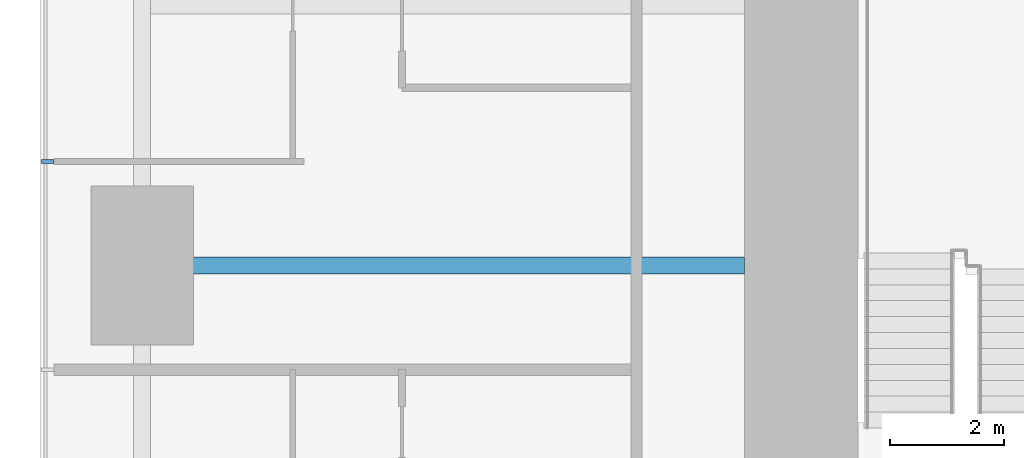
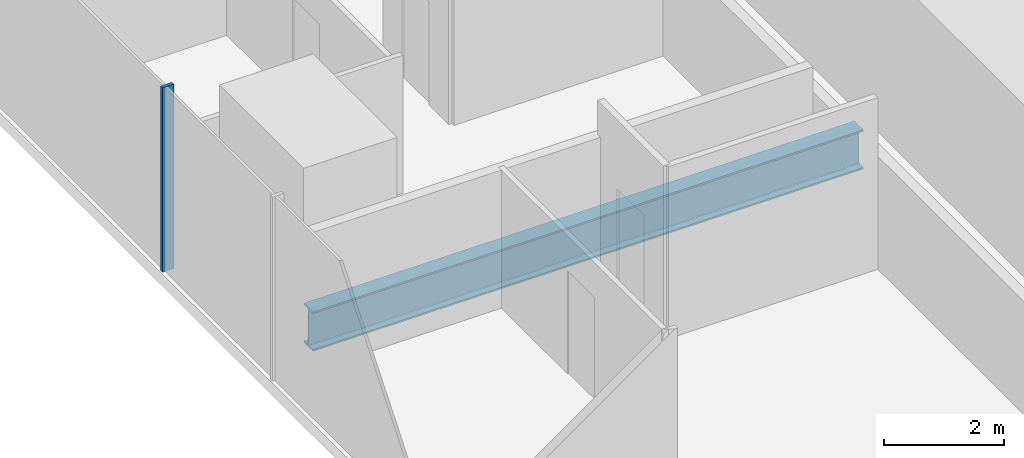
# One storey, part 3 of 13: 1 beam, 1 member, 1 element without a shape of its own.
"""IFC4 building model written with IfcOpenShell, lengths in metres."""

from ifc_helpers import new_model, si_unit, direction, frame, origin, origin_2d, place, context, subcontext, project, spatial, rectangle, i_section, extrude, material, material_profile, profile_set, type_object, element, aggregate, save


model = new_model("IFC4")

# Units and contexts
model_context = context("Model", 3, precision=1e-05, world=origin(), true_north=direction((0.0, 1.0)))
body_context = subcontext(model_context, "Body", "Model", "MODEL_VIEW")
ifc_project = project(units=[si_unit("LENGTHUNIT", "METRE"), si_unit("AREAUNIT", "SQUARE_METRE"), si_unit("VOLUMEUNIT", "CUBIC_METRE"), si_unit("PLANEANGLEUNIT", "RADIAN"), si_unit("MASSUNIT", "GRAM", prefix="KILO")], contexts=[model_context])

# Site, building, storey
site_placement = place(None, origin())
site = spatial("IfcSite", under=ifc_project, at=site_placement, CompositionType="ELEMENT")
building_placement = place(site_placement, origin())
building = spatial("IfcBuilding", under=site, at=building_placement, Name="Khuree Lantern Residences", CompositionType="ELEMENT")
storey_placement = place(building_placement, frame((0.0, 0.0, 137.25)))
storey = spatial("IfcBuildingStorey", under=building, at=storey_placement, Name="L34", CompositionType="ELEMENT", Elevation=137.25)

# Beam
ifc_material_1 = material(Name="Steel S355", Category="steel")
ifc_material_profile_1 = material_profile(ifc_material_1, i_section(OverallWidth=0.300048828125, OverallDepth=0.800048828125, WebThickness=0.017578125, FlangeThickness=0.032958984375, FilletRadius=0.030029296875, at=origin_2d()), Name="HE 800 B")
ifc_profile_set_1 = profile_set([ifc_material_profile_1], Name="Steel S355")
beam_type = type_object("IfcBeamType", Name="G-23 GIRDER HE 800 B", PredefinedType="BEAM", material=ifc_profile_set_1)
beam_placement = place(storey_placement, frame((-27.10009765625, 0.0, -0.64990234375), z_axis=(1.0, 0.0, 0.0), x_axis=(0.0, 1.0, 0.0)))
element("IfcBeam", 1, at=beam_placement, inside=storey, type_object=beam_type, Name="Girder W3", PredefinedType="BEAM", context=body_context, shape_type="SweptSolid", body=[
    extrude(i_section(OverallWidth=0.300048828125, OverallDepth=0.800048828125, WebThickness=0.017578125, FlangeThickness=0.032958984375, FilletRadius=0.030029296875, at=origin_2d()), origin(), (0.0, 0.0, 1.0), 10.60009765625),
])

# Curtain wall, member
ifc_material_2 = material(Name="Bronze anodised aluminium", Category="aluminium")
curtain_wall_type = type_object("IfcCurtainWallType", Name="CW-T1 TOWER FACE CURTAIN WALL", PredefinedType="USERDEFINED", material=ifc_material_2)
curtain_wall_placement = place(storey_placement, origin())
curtain_wall = element("IfcCurtainWall", 2, at=curtain_wall_placement, inside=storey, type_object=curtain_wall_type, Name="L34 WEST FACE CURTAIN WALL", ObjectType="Stick-built curtain wall", PredefinedType="USERDEFINED")
ifc_material_profile_2 = material_profile(ifc_material_2, rectangle(XDim=0.06494140625, YDim=0.219970703125, at=origin_2d()), Name="M1 65X220")
ifc_profile_set_2 = profile_set([ifc_material_profile_2], Name="Bronze anodised aluminium")
member_type = type_object("IfcMemberType", Name="M1 BRONZE MULLION TOWER 65X220", PredefinedType="MULLION", material=ifc_profile_set_2)
member_placement = place(storey_placement, frame((-28.760009765625, 1.83203125, 0.0), z_axis=(0.0, 0.0, 1.0), x_axis=(0.0, -1.0, 0.0)))
member = element("IfcMember", 3, at=member_placement, type_object=member_type, Name="L34 WEST FACE MULLION 37", PredefinedType="MULLION", context=body_context, shape_type="SweptSolid", body=[
    extrude(rectangle(XDim=0.06494140625, YDim=0.219970703125, at=origin_2d()), origin(), (0.0, 0.0, 1.0), 3.75),
])
aggregate(curtain_wall, [member])

save(model, "model.ifc")
